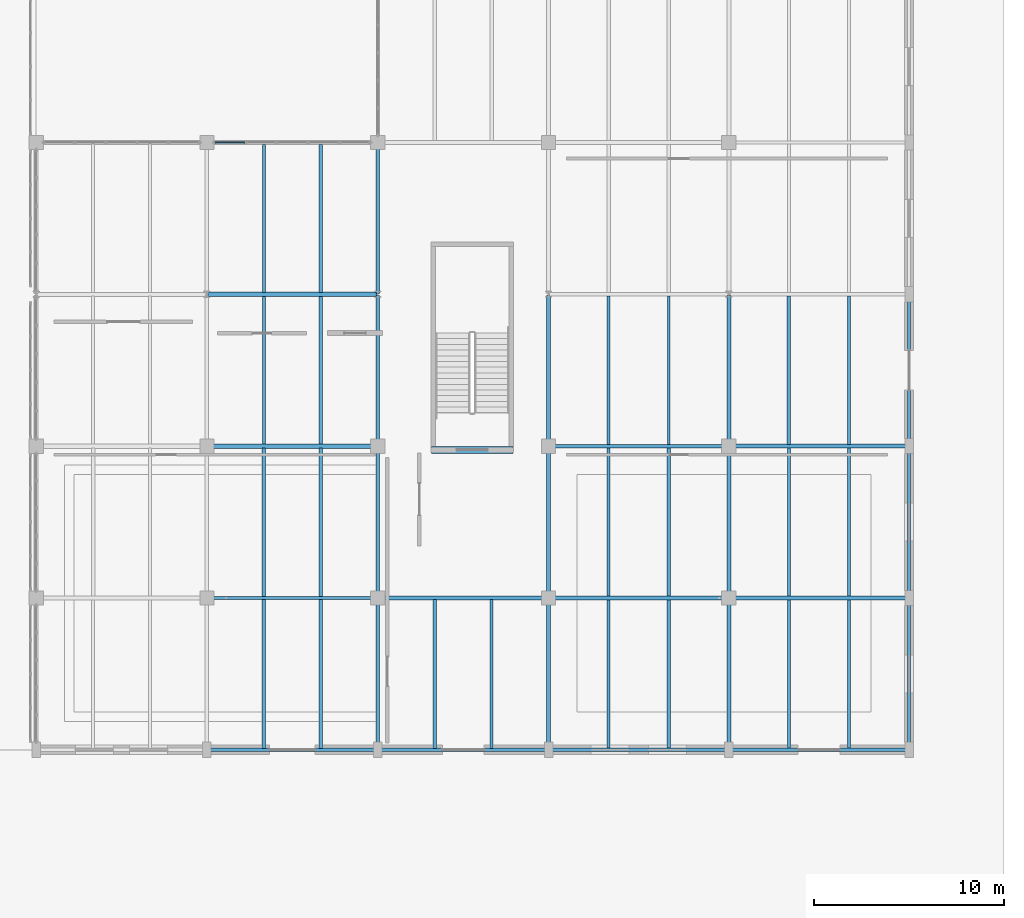
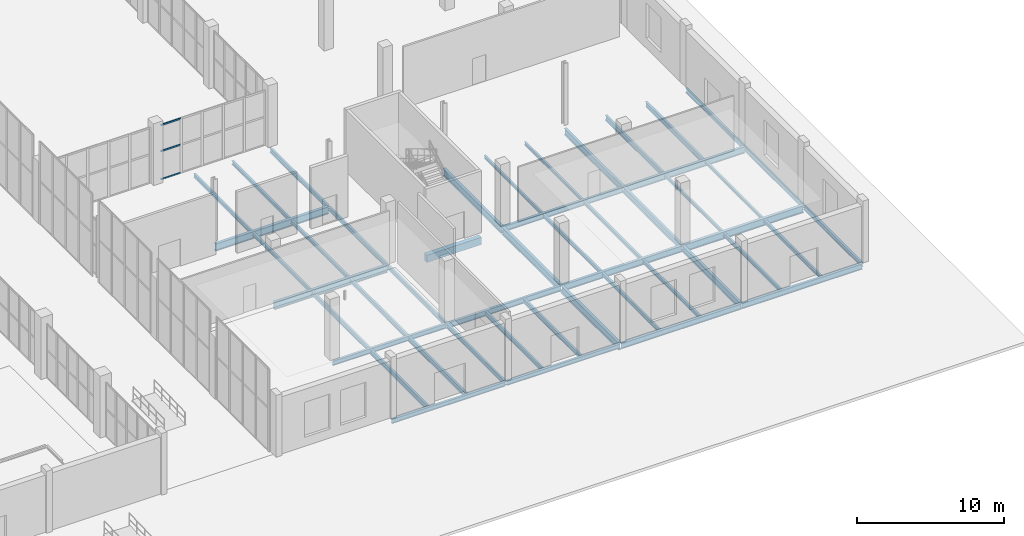
# One storey, part 57 of 103: 48 beams, 3 members, 1 element without a shape of its own.
"""IFC4 building model written with IfcOpenShell, lengths in metres."""

from ifc_helpers import new_model, si_unit, direction, frame, origin, origin_2d, place, context, subcontext, project, spatial, rectangle, i_section, extrude, material, layer, layer_set, material_profile, profile_set, type_object, element, aggregate, save


model = new_model("IFC4")

# Units and contexts
model_context = context("Model", 3, precision=1e-05, world=origin(), true_north=direction((0.0, 1.0)))
body_context = subcontext(model_context, "Body", "Model", "MODEL_VIEW")
ifc_project = project(units=[si_unit("LENGTHUNIT", "METRE"), si_unit("AREAUNIT", "SQUARE_METRE"), si_unit("VOLUMEUNIT", "CUBIC_METRE"), si_unit("PLANEANGLEUNIT", "RADIAN"), si_unit("MASSUNIT", "GRAM", prefix="KILO")], contexts=[model_context])

# Site, building, storey
site_placement = place(None, origin())
site = spatial("IfcSite", under=ifc_project, at=site_placement, CompositionType="ELEMENT")
building_placement = place(site_placement, origin())
building = spatial("IfcBuilding", under=site, at=building_placement, Name="Marnock Terrace Opera House", CompositionType="ELEMENT")
storey_placement = place(building_placement, origin())
storey = spatial("IfcBuildingStorey", under=building, at=storey_placement, Name="L00", CompositionType="ELEMENT", Elevation=0.0)

# Beams
ifc_material_1 = material(Name="Steel Grade 350 (AS/NZS 3679.1)", Category="steel")
ifc_material_profile_1 = material_profile(ifc_material_1, i_section(OverallWidth=0.1708984375, OverallDepth=0.355712890625, WebThickness=0.00732421875, FlangeThickness=0.011474609375, FilletRadius=0.011474609375, at=origin_2d()))
ifc_profile_set_1 = profile_set([ifc_material_profile_1], Name="Steel Grade 350 (AS/NZS 3679.1)")
beam_type_1 = type_object("IfcBeamType", Name="BM-GIRD-360", PredefinedType="BEAM", material=ifc_profile_set_1)
for number, where, z_axis, x_axis, name in (
    (1, (136.0, 8.050048828125, -0.477783203125), (0.0, 1.0, 0.0), (-1.0, 0.0, 0.0), "L00 girder (X=136.0, 8.0..16.0)"),
    (2, (136.0, 16.050048828125, -0.477783203125), (0.0, 1.0, 0.0), (-1.0, 0.0, 0.0), "L00 girder (X=136.0, 16.0..24.0)"),
    (3, (136.0, 24.050048828125, -0.477783203125), (0.0, 1.0, 0.0), (-1.0, 0.0, 0.0), "L00 girder (X=136.0, 24.0..32.0)"),
    (4, (136.0, 32.050048828125, -0.477783203125), (0.0, 1.0, 0.0), (-1.0, 0.0, 0.0), "L00 girder (X=136.0, 32.0..40.0)"),
):
    element("IfcBeam", number, at=place(storey_placement, frame(where, z_axis=z_axis, x_axis=x_axis)), inside=storey, type_object=beam_type_1, Name=name, PredefinedType="BEAM", context=body_context, shape_type="SweptSolid", body=[
        extrude(i_section(OverallWidth=0.1708984375, OverallDepth=0.355712890625, WebThickness=0.00732421875, FlangeThickness=0.011474609375, FilletRadius=0.011474609375, at=origin_2d()), origin(), (0.0, 0.0, 1.0), 7.89990234375),
    ])
ifc_material_profile_2 = material_profile(ifc_material_1, i_section(OverallWidth=0.177978515625, OverallDepth=0.402587890625, WebThickness=0.007568359375, FlangeThickness=0.010986328125, FilletRadius=0.011474609375, at=origin_2d()))
ifc_profile_set_2 = profile_set([ifc_material_profile_2], Name="Steel Grade 350 (AS/NZS 3679.1)")
beam_type_2 = type_object("IfcBeamType", Name="BM-GIRD-410", PredefinedType="BEAM", material=ifc_profile_set_2)
beam_1_placement = place(storey_placement, frame((127.050048828125, 16.0, -0.501220703125), z_axis=(1.0, 0.0, 0.0), x_axis=(0.0, 1.0, 0.0)))
element("IfcBeam", 5, at=beam_1_placement, inside=storey, type_object=beam_type_2, Name="L00 girder (127.0..136.0, Y=16.0)", PredefinedType="BEAM", context=body_context, shape_type="SweptSolid", body=[
    extrude(i_section(OverallWidth=0.177978515625, OverallDepth=0.402587890625, WebThickness=0.007568359375, FlangeThickness=0.010986328125, FilletRadius=0.011474609375, at=origin_2d()), origin(), (0.0, 0.0, 1.0), 8.89990234375),
])
ifc_material_profile_3 = material_profile(ifc_material_1, i_section(OverallWidth=0.19091796875, OverallDepth=0.46044921875, WebThickness=0.010009765625, FlangeThickness=0.01611328125, FilletRadius=0.011474609375, at=origin_2d()))
ifc_profile_set_3 = profile_set([ifc_material_profile_3], Name="Steel Grade 350 (AS/NZS 3679.1)")
beam_type_3 = type_object("IfcBeamType", Name="BM-GIRD-460A", PredefinedType="BEAM", material=ifc_profile_set_3)
beam_2_placement = place(storey_placement, frame((136.050048828125, 16.0, -0.5302734375), z_axis=(1.0, 0.0, 0.0), x_axis=(0.0, 1.0, 0.0)))
element("IfcBeam", 6, at=beam_2_placement, inside=storey, type_object=beam_type_3, Name="L00 girder (136.0..145.0, Y=16.0)", PredefinedType="BEAM", context=body_context, shape_type="SweptSolid", body=[
    extrude(i_section(OverallWidth=0.19091796875, OverallDepth=0.46044921875, WebThickness=0.010009765625, FlangeThickness=0.01611328125, FilletRadius=0.011474609375, at=origin_2d()), origin(), (0.0, 0.0, 1.0), 8.89990234375),
])
beam_3_placement = place(storey_placement, frame((145.050048828125, 24.0, -0.5302734375), z_axis=(1.0, 0.0, 0.0), x_axis=(0.0, 1.0, 0.0)))
element("IfcBeam", 7, at=beam_3_placement, inside=storey, type_object=beam_type_3, Name="L00 girder (145.0..154.5, Y=24.0)", PredefinedType="BEAM", context=body_context, shape_type="SweptSolid", body=[
    extrude(i_section(OverallWidth=0.19091796875, OverallDepth=0.46044921875, WebThickness=0.010009765625, FlangeThickness=0.01611328125, FilletRadius=0.011474609375, at=origin_2d()), origin(), (0.0, 0.0, 1.0), 9.39990234375),
])
ifc_material_profile_4 = material_profile(ifc_material_1, i_section(OverallWidth=0.208984375, OverallDepth=0.532958984375, WebThickness=0.01025390625, FlangeThickness=0.015625, FilletRadius=0.013916015625, at=origin_2d()))
ifc_profile_set_4 = profile_set([ifc_material_profile_4], Name="Steel Grade 350 (AS/NZS 3679.1)")
beam_type_4 = type_object("IfcBeamType", Name="BM-GIRD-530A", PredefinedType="BEAM", material=ifc_profile_set_4)
for number, where, z_axis, x_axis, name in (
    (8, (145.050048828125, 16.0, -0.56640625), (1.0, 0.0, 0.0), (0.0, 1.0, 0.0), "L00 girder (145.0..154.5, Y=16.0)"),
    (9, (154.550048828125, 24.0, -0.56640625), (1.0, 0.0, 0.0), (0.0, 1.0, 0.0), "L00 girder (154.5..164.0, Y=24.0)"),
):
    element("IfcBeam", number, at=place(storey_placement, frame(where, z_axis=z_axis, x_axis=x_axis)), inside=storey, type_object=beam_type_4, Name=name, PredefinedType="BEAM", context=body_context, shape_type="SweptSolid", body=[
        extrude(i_section(OverallWidth=0.208984375, OverallDepth=0.532958984375, WebThickness=0.01025390625, FlangeThickness=0.015625, FilletRadius=0.013916015625, at=origin_2d()), origin(), (0.0, 0.0, 1.0), 9.39990234375),
    ])
ifc_material_profile_5 = material_profile(ifc_material_1, i_section(OverallWidth=0.208984375, OverallDepth=0.528076171875, WebThickness=0.009521484375, FlangeThickness=0.01318359375, FilletRadius=0.013916015625, at=origin_2d()))
ifc_profile_set_5 = profile_set([ifc_material_profile_5], Name="Steel Grade 350 (AS/NZS 3679.1)")
beam_type_5 = type_object("IfcBeamType", Name="BM-GIRD-530B", PredefinedType="BEAM", material=ifc_profile_set_5)
for number, where, z_axis, x_axis, name in (
    (10, (154.5, 8.050048828125, -0.56396484375), (0.0, 1.0, 0.0), (-1.0, 0.0, 0.0), "L00 girder (X=154.5, 8.0..16.0)"),
    (11, (154.5, 16.050048828125, -0.56396484375), (0.0, 1.0, 0.0), (-1.0, 0.0, 0.0), "L00 girder (X=154.5, 16.0..24.0)"),
    (12, (154.5, 24.050048828125, -0.56396484375), (0.0, 1.0, 0.0), (-1.0, 0.0, 0.0), "L00 girder (X=154.5, 24.0..32.0)"),
):
    element("IfcBeam", number, at=place(storey_placement, frame(where, z_axis=z_axis, x_axis=x_axis)), inside=storey, type_object=beam_type_5, Name=name, PredefinedType="BEAM", context=body_context, shape_type="SweptSolid", body=[
        extrude(i_section(OverallWidth=0.208984375, OverallDepth=0.528076171875, WebThickness=0.009521484375, FlangeThickness=0.01318359375, FilletRadius=0.013916015625, at=origin_2d()), origin(), (0.0, 0.0, 1.0), 7.89990234375),
    ])
ifc_material_profile_6 = material_profile(ifc_material_1, i_section(OverallWidth=0.22900390625, OverallDepth=0.611572265625, WebThickness=0.011962890625, FlangeThickness=0.01953125, FilletRadius=0.013916015625, at=origin_2d()))
ifc_profile_set_6 = profile_set([ifc_material_profile_6], Name="Steel Grade 350 (AS/NZS 3679.1)")
beam_type_6 = type_object("IfcBeamType", Name="BM-GIRD-610A", PredefinedType="BEAM", material=ifc_profile_set_6)
beam_4_placement = place(storey_placement, frame((127.050048828125, 24.0, -0.605712890625), z_axis=(1.0, 0.0, 0.0), x_axis=(0.0, 1.0, 0.0)))
element("IfcBeam", 13, at=beam_4_placement, inside=storey, type_object=beam_type_6, Name="L00 girder (127.0..136.0, Y=24.0)", PredefinedType="BEAM", context=body_context, shape_type="SweptSolid", body=[
    extrude(i_section(OverallWidth=0.22900390625, OverallDepth=0.611572265625, WebThickness=0.011962890625, FlangeThickness=0.01953125, FilletRadius=0.013916015625, at=origin_2d()), origin(), (0.0, 0.0, 1.0), 8.89990234375),
])
ifc_material_profile_7 = material_profile(ifc_material_1, i_section(OverallWidth=0.22802734375, OverallDepth=0.60693359375, WebThickness=0.01123046875, FlangeThickness=0.017333984375, FilletRadius=0.013916015625, at=origin_2d()))
ifc_profile_set_7 = profile_set([ifc_material_profile_7], Name="Steel Grade 350 (AS/NZS 3679.1)")
beam_type_7 = type_object("IfcBeamType", Name="BM-GIRD-610B", PredefinedType="BEAM", material=ifc_profile_set_7)
beam_5_placement = place(storey_placement, frame((154.550048828125, 16.0, -0.603515625), z_axis=(1.0, 0.0, 0.0), x_axis=(0.0, 1.0, 0.0)))
element("IfcBeam", 14, at=beam_5_placement, inside=storey, type_object=beam_type_7, Name="L00 girder (154.5..164.0, Y=16.0)", PredefinedType="BEAM", context=body_context, shape_type="SweptSolid", body=[
    extrude(i_section(OverallWidth=0.22802734375, OverallDepth=0.60693359375, WebThickness=0.01123046875, FlangeThickness=0.017333984375, FilletRadius=0.013916015625, at=origin_2d()), origin(), (0.0, 0.0, 1.0), 9.39990234375),
])
beam_6_placement = place(storey_placement, frame((127.050048828125, 32.0, -0.603515625), z_axis=(1.0, 0.0, 0.0), x_axis=(0.0, 1.0, 0.0)))
element("IfcBeam", 15, at=beam_6_placement, inside=storey, type_object=beam_type_7, Name="L00 girder (127.0..136.0, Y=32.0)", PredefinedType="BEAM", context=body_context, shape_type="SweptSolid", body=[
    extrude(i_section(OverallWidth=0.22802734375, OverallDepth=0.60693359375, WebThickness=0.01123046875, FlangeThickness=0.017333984375, FilletRadius=0.013916015625, at=origin_2d()), origin(), (0.0, 0.0, 1.0), 8.89990234375),
])
ifc_material_profile_8 = material_profile(ifc_material_1, i_section(OverallWidth=0.22802734375, OverallDepth=0.60205078125, WebThickness=0.010498046875, FlangeThickness=0.014892578125, FilletRadius=0.013916015625, at=origin_2d()))
ifc_profile_set_8 = profile_set([ifc_material_profile_8], Name="Steel Grade 350 (AS/NZS 3679.1)")
beam_type_8 = type_object("IfcBeamType", Name="BM-GIRD-610C", PredefinedType="BEAM", material=ifc_profile_set_8)
for number, where, z_axis, x_axis, name in (
    (16, (145.0, 8.050048828125, -0.60107421875), (0.0, 1.0, 0.0), (-1.0, 0.0, 0.0), "L00 girder (X=145.0, 8.0..16.0)"),
    (17, (145.0, 16.050048828125, -0.60107421875), (0.0, 1.0, 0.0), (-1.0, 0.0, 0.0), "L00 girder (X=145.0, 16.0..24.0)"),
    (18, (145.0, 24.050048828125, -0.60107421875), (0.0, 1.0, 0.0), (-1.0, 0.0, 0.0), "L00 girder (X=145.0, 24.0..32.0)"),
):
    element("IfcBeam", number, at=place(storey_placement, frame(where, z_axis=z_axis, x_axis=x_axis)), inside=storey, type_object=beam_type_8, Name=name, PredefinedType="BEAM", context=body_context, shape_type="SweptSolid", body=[
        extrude(i_section(OverallWidth=0.22802734375, OverallDepth=0.60205078125, WebThickness=0.010498046875, FlangeThickness=0.014892578125, FilletRadius=0.013916015625, at=origin_2d()), origin(), (0.0, 0.0, 1.0), 7.89990234375),
    ])
ifc_material_profile_9 = material_profile(ifc_material_1, i_section(OverallWidth=0.14599609375, OverallDepth=0.256103515625, WebThickness=0.00634765625, FlangeThickness=0.010986328125, FilletRadius=0.0087890625, at=origin_2d()))
ifc_profile_set_9 = profile_set([ifc_material_profile_9], Name="Steel Grade 350 (AS/NZS 3679.1)")
beam_type_9 = type_object("IfcBeamType", Name="BM-JOIST-250", PredefinedType="JOIST", material=ifc_profile_set_9)
for number, where, z_axis, x_axis, name in (
    (19, (148.166748046875, 24.090576171875, -0.427978515625), (0.0, 1.0, 0.0), (-1.0, 0.0, 0.0), "L00 secondary joist 16.3.1"),
    (20, (151.333251953125, 24.090576171875, -0.427978515625), (0.0, 1.0, 0.0), (-1.0, 0.0, 0.0), "L00 secondary joist 16.3.2"),
):
    element("IfcBeam", number, at=place(storey_placement, frame(where, z_axis=z_axis, x_axis=x_axis)), inside=storey, type_object=beam_type_9, Name=name, PredefinedType="JOIST", context=body_context, shape_type="SweptSolid", body=[
        extrude(i_section(OverallWidth=0.14599609375, OverallDepth=0.256103515625, WebThickness=0.00634765625, FlangeThickness=0.010986328125, FilletRadius=0.0087890625, at=origin_2d()), origin(), (0.0, 0.0, 1.0), 7.825439453125),
    ])
for number, where, z_axis, x_axis, name in (
    (21, (157.666748046875, 16.10888671875, -0.427978515625), (0.0, 1.0, 0.0), (-1.0, 0.0, 0.0), "L00 secondary joist 17.2.1"),
    (22, (160.833251953125, 16.10888671875, -0.427978515625), (0.0, 1.0, 0.0), (-1.0, 0.0, 0.0), "L00 secondary joist 17.2.2"),
):
    element("IfcBeam", number, at=place(storey_placement, frame(where, z_axis=z_axis, x_axis=x_axis)), inside=storey, type_object=beam_type_9, Name=name, PredefinedType="JOIST", context=body_context, shape_type="SweptSolid", body=[
        extrude(i_section(OverallWidth=0.14599609375, OverallDepth=0.256103515625, WebThickness=0.00634765625, FlangeThickness=0.010986328125, FilletRadius=0.0087890625, at=origin_2d()), origin(), (0.0, 0.0, 1.0), 7.79150390625),
    ])
ifc_material_profile_10 = material_profile(ifc_material_1, i_section(OverallWidth=0.166015625, OverallDepth=0.30712890625, WebThickness=0.006591796875, FlangeThickness=0.01171875, FilletRadius=0.011474609375, at=origin_2d()))
ifc_profile_set_10 = profile_set([ifc_material_profile_10], Name="Steel Grade 350 (AS/NZS 3679.1)")
beam_type_10 = type_object("IfcBeamType", Name="BM-JOIST-310A", PredefinedType="JOIST", material=ifc_profile_set_10)
for number, where, z_axis, x_axis, name in (
    (23, (130.0, 24.109619140625, -0.45361328125), (0.0, 1.0, 0.0), (-1.0, 0.0, 0.0), "L00 secondary joist 14.3.1"),
    (24, (133.0, 24.109619140625, -0.45361328125), (0.0, 1.0, 0.0), (-1.0, 0.0, 0.0), "L00 secondary joist 14.3.2"),
):
    element("IfcBeam", number, at=place(storey_placement, frame(where, z_axis=z_axis, x_axis=x_axis)), inside=storey, type_object=beam_type_10, Name=name, PredefinedType="JOIST", context=body_context, shape_type="SweptSolid", body=[
        extrude(i_section(OverallWidth=0.166015625, OverallDepth=0.30712890625, WebThickness=0.006591796875, FlangeThickness=0.01171875, FilletRadius=0.011474609375, at=origin_2d()), origin(), (0.0, 0.0, 1.0), 7.781494140625),
    ])
for number, where, z_axis, x_axis, name in (
    (25, (148.166748046875, 8.090576171875, -0.45361328125), (0.0, 1.0, 0.0), (-1.0, 0.0, 0.0), "L00 secondary joist 16.1.1"),
    (26, (151.333251953125, 8.090576171875, -0.45361328125), (0.0, 1.0, 0.0), (-1.0, 0.0, 0.0), "L00 secondary joist 16.1.2"),
):
    element("IfcBeam", number, at=place(storey_placement, frame(where, z_axis=z_axis, x_axis=x_axis)), inside=storey, type_object=beam_type_10, Name=name, PredefinedType="JOIST", context=body_context, shape_type="SweptSolid", body=[
        extrude(i_section(OverallWidth=0.166015625, OverallDepth=0.30712890625, WebThickness=0.006591796875, FlangeThickness=0.01171875, FilletRadius=0.011474609375, at=origin_2d()), origin(), (0.0, 0.0, 1.0), 7.809814453125),
    ])
ifc_material_profile_11 = material_profile(ifc_material_1, i_section(OverallWidth=0.1650390625, OverallDepth=0.3037109375, WebThickness=0.006103515625, FlangeThickness=0.01025390625, FilletRadius=0.011474609375, at=origin_2d()))
ifc_profile_set_11 = profile_set([ifc_material_profile_11], Name="Steel Grade 350 (AS/NZS 3679.1)")
beam_type_11 = type_object("IfcBeamType", Name="BM-JOIST-310B", PredefinedType="JOIST", material=ifc_profile_set_11)
for number, where, z_axis, x_axis, name in (
    (27, (130.0, 32.10888671875, -0.451904296875), (0.0, 1.0, 0.0), (-1.0, 0.0, 0.0), "L00 secondary joist 14.4.1"),
    (28, (133.0, 32.10888671875, -0.451904296875), (0.0, 1.0, 0.0), (-1.0, 0.0, 0.0), "L00 secondary joist 14.4.2"),
):
    element("IfcBeam", number, at=place(storey_placement, frame(where, z_axis=z_axis, x_axis=x_axis)), inside=storey, type_object=beam_type_11, Name=name, PredefinedType="JOIST", context=body_context, shape_type="SweptSolid", body=[
        extrude(i_section(OverallWidth=0.1650390625, OverallDepth=0.3037109375, WebThickness=0.006103515625, FlangeThickness=0.01025390625, FilletRadius=0.011474609375, at=origin_2d()), origin(), (0.0, 0.0, 1.0), 7.79150390625),
    ])
for number, where, z_axis, x_axis, name in (
    (29, (148.166748046875, 16.099609375, -0.451904296875), (0.0, 1.0, 0.0), (-1.0, 0.0, 0.0), "L00 secondary joist 16.2.1"),
    (30, (151.333251953125, 16.099609375, -0.451904296875), (0.0, 1.0, 0.0), (-1.0, 0.0, 0.0), "L00 secondary joist 16.2.2"),
):
    element("IfcBeam", number, at=place(storey_placement, frame(where, z_axis=z_axis, x_axis=x_axis)), inside=storey, type_object=beam_type_11, Name=name, PredefinedType="JOIST", context=body_context, shape_type="SweptSolid", body=[
        extrude(i_section(OverallWidth=0.1650390625, OverallDepth=0.3037109375, WebThickness=0.006103515625, FlangeThickness=0.01025390625, FilletRadius=0.011474609375, at=origin_2d()), origin(), (0.0, 0.0, 1.0), 7.809814453125),
    ])
for number, where, z_axis, x_axis, name in (
    (31, (157.666748046875, 8.090576171875, -0.451904296875), (0.0, 1.0, 0.0), (-1.0, 0.0, 0.0), "L00 secondary joist 17.1.1"),
    (32, (160.833251953125, 8.090576171875, -0.451904296875), (0.0, 1.0, 0.0), (-1.0, 0.0, 0.0), "L00 secondary joist 17.1.2"),
):
    element("IfcBeam", number, at=place(storey_placement, frame(where, z_axis=z_axis, x_axis=x_axis)), inside=storey, type_object=beam_type_11, Name=name, PredefinedType="JOIST", context=body_context, shape_type="SweptSolid", body=[
        extrude(i_section(OverallWidth=0.1650390625, OverallDepth=0.3037109375, WebThickness=0.006103515625, FlangeThickness=0.01025390625, FilletRadius=0.011474609375, at=origin_2d()), origin(), (0.0, 0.0, 1.0), 7.800537109375),
    ])
ifc_material_profile_12 = material_profile(ifc_material_1, i_section(OverallWidth=0.172119140625, OverallDepth=0.358642578125, WebThickness=0.008056640625, FlangeThickness=0.012939453125, FilletRadius=0.011474609375, at=origin_2d()))
ifc_profile_set_12 = profile_set([ifc_material_profile_12], Name="Steel Grade 350 (AS/NZS 3679.1)")
beam_type_12 = type_object("IfcBeamType", Name="BM-JOIST-360", PredefinedType="JOIST", material=ifc_profile_set_12)
for number, where, z_axis, x_axis, name in (
    (33, (130.0, 16.083984375, -0.479248046875), (0.0, 1.0, 0.0), (-1.0, 0.0, 0.0), "L00 secondary joist 14.2.1"),
    (34, (133.0, 16.083984375, -0.479248046875), (0.0, 1.0, 0.0), (-1.0, 0.0, 0.0), "L00 secondary joist 14.2.2"),
):
    element("IfcBeam", number, at=place(storey_placement, frame(where, z_axis=z_axis, x_axis=x_axis)), inside=storey, type_object=beam_type_12, Name=name, PredefinedType="JOIST", context=body_context, shape_type="SweptSolid", body=[
        extrude(i_section(OverallWidth=0.172119140625, OverallDepth=0.358642578125, WebThickness=0.008056640625, FlangeThickness=0.012939453125, FilletRadius=0.011474609375, at=origin_2d()), origin(), (0.0, 0.0, 1.0), 7.806396484375),
    ])
for number, where, z_axis, x_axis, name in (
    (35, (139.0, 8.0810546875, -0.479248046875), (0.0, 1.0, 0.0), (-1.0, 0.0, 0.0), "L00 secondary joist 15.1.1"),
    (36, (142.0, 8.0810546875, -0.479248046875), (0.0, 1.0, 0.0), (-1.0, 0.0, 0.0), "L00 secondary joist 15.1.2"),
):
    element("IfcBeam", number, at=place(storey_placement, frame(where, z_axis=z_axis, x_axis=x_axis)), inside=storey, type_object=beam_type_12, Name=name, PredefinedType="JOIST", context=body_context, shape_type="SweptSolid", body=[
        extrude(i_section(OverallWidth=0.172119140625, OverallDepth=0.358642578125, WebThickness=0.008056640625, FlangeThickness=0.012939453125, FilletRadius=0.011474609375, at=origin_2d()), origin(), (0.0, 0.0, 1.0), 7.828369140625),
    ])
ifc_material_profile_13 = material_profile(ifc_material_1, i_section(OverallWidth=0.177978515625, OverallDepth=0.406494140625, WebThickness=0.0078125, FlangeThickness=0.0126953125, FilletRadius=0.011474609375, at=origin_2d()))
ifc_profile_set_13 = profile_set([ifc_material_profile_13], Name="Steel Grade 350 (AS/NZS 3679.1)")
beam_type_13 = type_object("IfcBeamType", Name="BM-JOIST-410", PredefinedType="JOIST", material=ifc_profile_set_13)
for number, where, z_axis, x_axis, name in (
    (37, (130.0, 8.0810546875, -0.503173828125), (0.0, 1.0, 0.0), (-1.0, 0.0, 0.0), "L00 secondary joist 14.1.1"),
    (38, (133.0, 8.0810546875, -0.503173828125), (0.0, 1.0, 0.0), (-1.0, 0.0, 0.0), "L00 secondary joist 14.1.2"),
):
    element("IfcBeam", number, at=place(storey_placement, frame(where, z_axis=z_axis, x_axis=x_axis)), inside=storey, type_object=beam_type_13, Name=name, PredefinedType="JOIST", context=body_context, shape_type="SweptSolid", body=[
        extrude(i_section(OverallWidth=0.177978515625, OverallDepth=0.406494140625, WebThickness=0.0078125, FlangeThickness=0.0126953125, FilletRadius=0.011474609375, at=origin_2d()), origin(), (0.0, 0.0, 1.0), 7.8349609375),
    ])
for number, where, z_axis, x_axis, name in (
    (39, (157.666748046875, 24.099609375, -0.503173828125), (0.0, 1.0, 0.0), (-1.0, 0.0, 0.0), "L00 secondary joist 17.3.1"),
    (40, (160.833251953125, 24.099609375, -0.503173828125), (0.0, 1.0, 0.0), (-1.0, 0.0, 0.0), "L00 secondary joist 17.3.2"),
):
    element("IfcBeam", number, at=place(storey_placement, frame(where, z_axis=z_axis, x_axis=x_axis)), inside=storey, type_object=beam_type_13, Name=name, PredefinedType="JOIST", context=body_context, shape_type="SweptSolid", body=[
        extrude(i_section(OverallWidth=0.177978515625, OverallDepth=0.406494140625, WebThickness=0.0078125, FlangeThickness=0.0126953125, FilletRadius=0.011474609375, at=origin_2d()), origin(), (0.0, 0.0, 1.0), 7.809814453125),
    ])
ifc_material_2 = material(Name="Concrete N40 (f'c = 40 MPa)", Category="concrete")
ifc_material_profile_14 = material_profile(ifc_material_2, rectangle(XDim=0.35009765625, YDim=0.60009765625, at=origin_2d()))
ifc_profile_set_14 = profile_set([ifc_material_profile_14], Name="Concrete N40 (f'c = 40 MPa)")
beam_type_14 = type_object("IfcBeamType", Name="BM-LINT-RC350", PredefinedType="LINTEL", material=ifc_profile_set_14)
beam_7_placement = place(storey_placement, frame((138.840087890625, 23.800048828125, -0.64990234375), z_axis=(1.0, 0.0, 0.0), x_axis=(0.0, 1.0, 0.0)))
element("IfcBeam", 41, at=beam_7_placement, inside=storey, type_object=beam_type_14, Name="B1 Core C6 coupling lintel", PredefinedType="LINTEL", context=body_context, shape_type="SweptSolid", body=[
    extrude(rectangle(XDim=0.35009765625, YDim=0.60009765625, at=origin_2d()), origin(), (0.0, 0.0, 1.0), 4.280029296875),
])
ifc_material_profile_15 = material_profile(ifc_material_1, i_section(OverallWidth=0.172119140625, OverallDepth=0.358642578125, WebThickness=0.008056640625, FlangeThickness=0.012939453125, FilletRadius=0.011474609375, at=origin_2d()))
ifc_profile_set_15 = profile_set([ifc_material_profile_15], Name="Steel Grade 350 (AS/NZS 3679.1)")
beam_type_15 = type_object("IfcBeamType", Name="BM-SPAN-360", PredefinedType="SPANDREL", material=ifc_profile_set_15)
for number, where, z_axis, x_axis, name in (
    (42, (127.050048828125, 8.0, -0.479248046875), (1.0, 0.0, 0.0), (0.0, 1.0, 0.0), "L00 girder (127.0..136.0, Y=8.0)"),
    (43, (136.050048828125, 8.0, -0.479248046875), (1.0, 0.0, 0.0), (0.0, 1.0, 0.0), "L00 girder (136.0..145.0, Y=8.0)"),
):
    element("IfcBeam", number, at=place(storey_placement, frame(where, z_axis=z_axis, x_axis=x_axis)), inside=storey, type_object=beam_type_15, Name=name, PredefinedType="SPANDREL", context=body_context, shape_type="SweptSolid", body=[
        extrude(i_section(OverallWidth=0.172119140625, OverallDepth=0.358642578125, WebThickness=0.008056640625, FlangeThickness=0.012939453125, FilletRadius=0.011474609375, at=origin_2d()), origin(), (0.0, 0.0, 1.0), 8.89990234375),
    ])
for number, where, z_axis, x_axis, name in (
    (44, (164.0, 8.050048828125, -0.479248046875), (0.0, 1.0, 0.0), (-1.0, 0.0, 0.0), "L00 girder (X=164.0, 8.0..16.0)"),
    (45, (164.0, 16.050048828125, -0.479248046875), (0.0, 1.0, 0.0), (-1.0, 0.0, 0.0), "L00 girder (X=164.0, 16.0..24.0)"),
    (46, (164.0, 24.050048828125, -0.479248046875), (0.0, 1.0, 0.0), (-1.0, 0.0, 0.0), "L00 girder (X=164.0, 24.0..32.0)"),
):
    element("IfcBeam", number, at=place(storey_placement, frame(where, z_axis=z_axis, x_axis=x_axis)), inside=storey, type_object=beam_type_15, Name=name, PredefinedType="SPANDREL", context=body_context, shape_type="SweptSolid", body=[
        extrude(i_section(OverallWidth=0.172119140625, OverallDepth=0.358642578125, WebThickness=0.008056640625, FlangeThickness=0.012939453125, FilletRadius=0.011474609375, at=origin_2d()), origin(), (0.0, 0.0, 1.0), 7.89990234375),
    ])
ifc_material_profile_16 = material_profile(ifc_material_1, i_section(OverallWidth=0.19091796875, OverallDepth=0.46044921875, WebThickness=0.010009765625, FlangeThickness=0.01611328125, FilletRadius=0.011474609375, at=origin_2d()))
ifc_profile_set_16 = profile_set([ifc_material_profile_16], Name="Steel Grade 350 (AS/NZS 3679.1)")
beam_type_16 = type_object("IfcBeamType", Name="BM-SPAN-460", PredefinedType="SPANDREL", material=ifc_profile_set_16)
for number, where, z_axis, x_axis, name in (
    (47, (145.050048828125, 8.0, -0.5302734375), (1.0, 0.0, 0.0), (0.0, 1.0, 0.0), "L00 girder (145.0..154.5, Y=8.0)"),
    (48, (154.550048828125, 8.0, -0.5302734375), (1.0, 0.0, 0.0), (0.0, 1.0, 0.0), "L00 girder (154.5..164.0, Y=8.0)"),
):
    element("IfcBeam", number, at=place(storey_placement, frame(where, z_axis=z_axis, x_axis=x_axis)), inside=storey, type_object=beam_type_16, Name=name, PredefinedType="SPANDREL", context=body_context, shape_type="SweptSolid", body=[
        extrude(i_section(OverallWidth=0.19091796875, OverallDepth=0.46044921875, WebThickness=0.010009765625, FlangeThickness=0.01611328125, FilletRadius=0.011474609375, at=origin_2d()), origin(), (0.0, 0.0, 1.0), 9.39990234375),
    ])

# Curtain wall, members
ifc_material_3 = material(Name="Anodised architectural bronze aluminium framing", Category="aluminium")
ifc_layer = layer(ifc_material_3, 0.159912109375)
ifc_layer_set = layer_set([ifc_layer], Name="Anodised architectural bronze aluminium framing")
curtain_wall_type = type_object("IfcCurtainWallType", Name="CW-LOGGIA-86x51", PredefinedType="NOTDEFINED", material=ifc_layer_set)
curtain_wall_placement = place(storey_placement, origin())
curtain_wall = element("IfcCurtainWall", 49, at=curtain_wall_placement, inside=storey, type_object=curtain_wall_type, Name="L00 glazed Beaux-Arts colonnade curtain wall CW-V5-L00-CS2", PredefinedType="NOTDEFINED")
ifc_material_profile_17 = material_profile(ifc_material_3, rectangle(XDim=0.06005859375, YDim=0.1298828125, at=origin_2d()))
ifc_profile_set_17 = profile_set([ifc_material_profile_17], Name="Anodised architectural bronze aluminium framing")
member_type = type_object("IfcMemberType", Name="CWT-60x130", PredefinedType="USERDEFINED", material=ifc_profile_set_17)
member_1_placement = place(storey_placement, frame((127.430908203125, 40.0, 0.030029296875), z_axis=(1.0, 0.0, 0.0), x_axis=(0.0, 1.0, 0.0)))
member_1 = element("IfcMember", 50, at=member_1_placement, type_object=member_type, Name="CW-96 transom 1.1", ObjectType="TRANSOM", PredefinedType="USERDEFINED", context=body_context, shape_type="SweptSolid", body=[
    extrude(rectangle(XDim=0.06005859375, YDim=0.1298828125, at=origin_2d()), origin(), (0.0, 0.0, 1.0), 1.561767578125),
])
member_2_placement = place(storey_placement, frame((127.430908203125, 40.0, 2.36962890625), z_axis=(1.0, 0.0, 0.0), x_axis=(0.0, 1.0, 0.0)))
member_2 = element("IfcMember", 51, at=member_2_placement, type_object=member_type, Name="CW-96 transom 1.2", ObjectType="TRANSOM", PredefinedType="USERDEFINED", context=body_context, shape_type="SweptSolid", body=[
    extrude(rectangle(XDim=0.06005859375, YDim=0.1298828125, at=origin_2d()), origin(), (0.0, 0.0, 1.0), 1.561767578125),
])
member_3_placement = place(storey_placement, frame((127.430908203125, 40.0, 4.527099609375), z_axis=(1.0, 0.0, 0.0), x_axis=(0.0, 1.0, 0.0)))
member_3 = element("IfcMember", 52, at=member_3_placement, type_object=member_type, Name="CW-96 transom 1.3", ObjectType="TRANSOM", PredefinedType="USERDEFINED", context=body_context, shape_type="SweptSolid", body=[
    extrude(rectangle(XDim=0.06005859375, YDim=0.1298828125, at=origin_2d()), origin(), (0.0, 0.0, 1.0), 1.561767578125),
])
aggregate(curtain_wall, [member_1, member_2, member_3])

save(model, "model.ifc")
